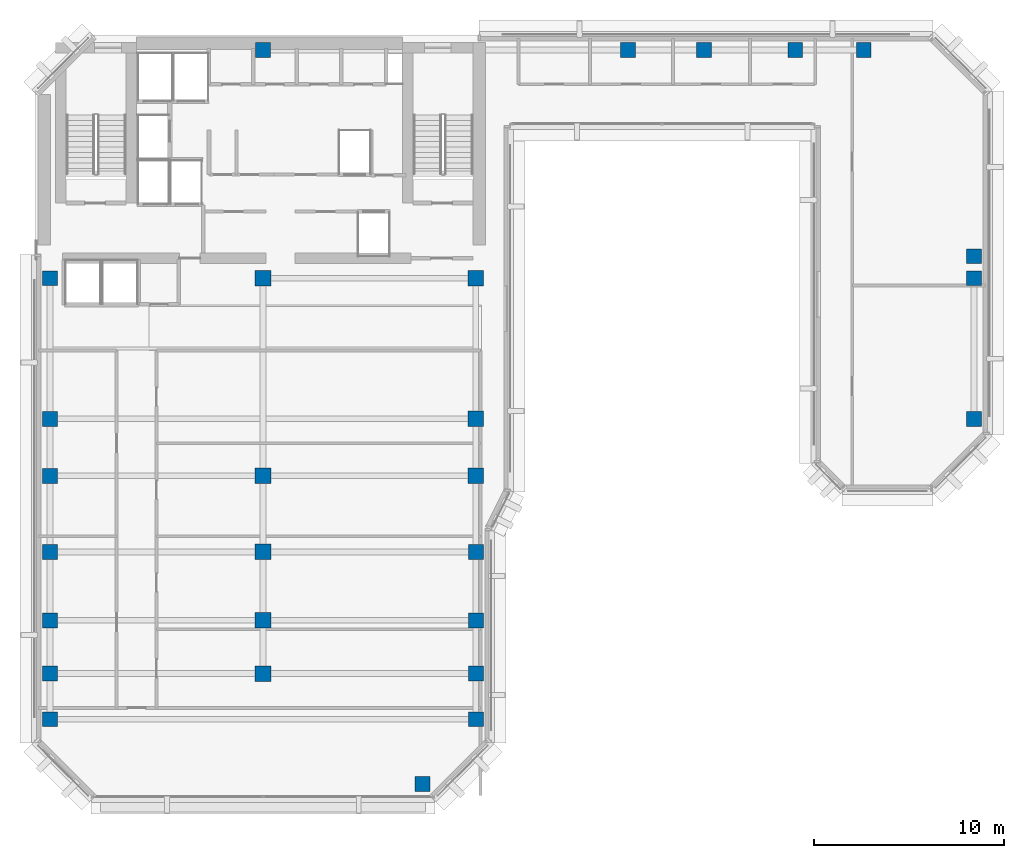
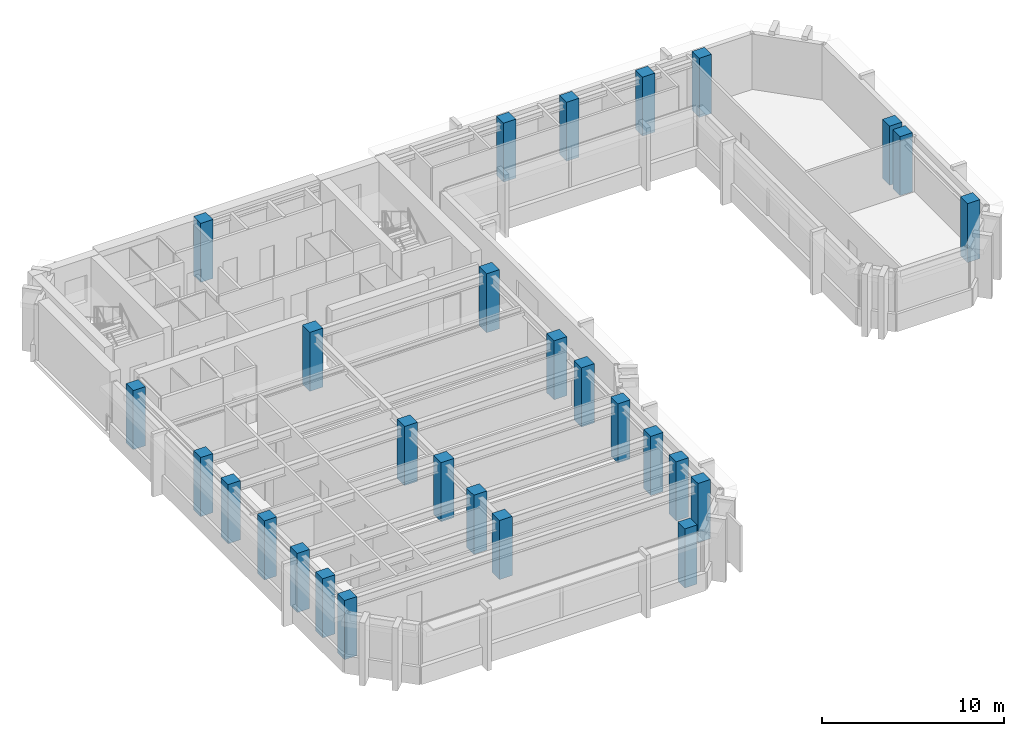
# One storey, part 1 of 12: 28 columns.
"""IFC4 building model written with IfcOpenShell, lengths in metres."""

from ifc_helpers import new_model, si_unit, direction, frame, origin, origin_2d, place, context, subcontext, project, spatial, rectangle, extrude, material, material_profile, profile_set, type_object, element, save


model = new_model("IFC4")

# Units and contexts
model_context = context("Model", 3, precision=1e-05, world=origin(), true_north=direction((0.0, 1.0)))
body_context = subcontext(model_context, "Body", "Model", "MODEL_VIEW")
ifc_project = project(units=[si_unit("LENGTHUNIT", "METRE"), si_unit("AREAUNIT", "SQUARE_METRE"), si_unit("VOLUMEUNIT", "CUBIC_METRE"), si_unit("PLANEANGLEUNIT", "RADIAN"), si_unit("MASSUNIT", "GRAM", prefix="KILO")], contexts=[model_context])

# Site, building, storey
site_placement = place(None, origin())
site = spatial("IfcSite", under=ifc_project, at=site_placement, CompositionType="ELEMENT")
building_placement = place(site_placement, origin())
building = spatial("IfcBuilding", under=site, at=building_placement, Name="Kefirva Bronze Tower", CompositionType="ELEMENT")
storey_placement = place(building_placement, frame((0.0, 0.0, 235.6201171875)))
storey = spatial("IfcBuildingStorey", under=building, at=storey_placement, Name="L57", CompositionType="ELEMENT", Elevation=235.6201171875)

# Columns
ifc_material = material(Name="Concrete C50/60", Category="concrete")
ifc_material_profile_1 = material_profile(ifc_material, rectangle(XDim=0.780029296875, YDim=0.780029296875, at=origin_2d()), Name="RC 780x780")
ifc_profile_set_1 = profile_set([ifc_material_profile_1], Name="Concrete C50/60")
column_type_1 = type_object("IfcColumnType", Name="RC Column 780x780 Ext", PredefinedType="COLUMN", material=ifc_profile_set_1)
for number, where, z_axis, x_axis, name in (
    (1, (0.800048828125, 10.0, 0.0), (0.0, 0.0, 1.0), (1.0, 0.0, 0.0), "L57 Column C008_100"),
    (2, (0.800048828125, 12.39990234375, 0.0), (0.0, 0.0, 1.0), (1.0, 0.0, 0.0), "L57 Column C008_124"),
    (3, (0.800048828125, 15.199951171875, 0.0), (0.0, 0.0, 1.0), (1.0, 0.0, 0.0), "L57 Column C008_152"),
    (4, (0.800048828125, 18.800048828125, 0.0), (0.0, 0.0, 1.0), (1.0, 0.0, 0.0), "L57 Column C008_188"),
    (5, (0.800048828125, 22.800048828125, 0.0), (0.0, 0.0, 1.0), (1.0, 0.0, 0.0), "L57 Column C008_228"),
    (6, (0.800048828125, 25.800048828125, 0.0), (0.0, 0.0, 1.0), (1.0, 0.0, 0.0), "L57 Column C008_258"),
    (7, (0.800048828125, 33.199951171875, 0.0), (0.0, 0.0, 1.0), (1.0, 0.0, 0.0), "L57 Column C008_332"),
    (8, (12.0, 45.199951171875, 0.0), (0.0, 0.0, 1.0), (1.0, 0.0, 0.0), "L57 Column C120_452"),
    (9, (20.39990234375, 6.60009765625, 0.0), (0.0, 0.0, 1.0), (1.0, 0.0, 0.0), "L57 Column C204_066"),
    (10, (23.199951171875, 10.0, 0.0), (0.0, 0.0, 1.0), (1.0, 0.0, 0.0), "L57 Column C232_100"),
    (11, (23.199951171875, 12.39990234375, 0.0), (0.0, 0.0, 1.0), (1.0, 0.0, 0.0), "L57 Column C232_124"),
    (12, (23.199951171875, 15.199951171875, 0.0), (0.0, 0.0, 1.0), (1.0, 0.0, 0.0), "L57 Column C232_152"),
    (13, (23.199951171875, 18.800048828125, 0.0), (0.0, 0.0, 1.0), (1.0, 0.0, 0.0), "L57 Column C232_188"),
    (14, (31.199951171875, 45.199951171875, 0.0), (0.0, 0.0, 1.0), (1.0, 0.0, 0.0), "L57 Column C312_452"),
    (15, (35.199951171875, 45.199951171875, 0.0), (0.0, 0.0, 1.0), (1.0, 0.0, 0.0), "L57 Column C352_452"),
    (16, (40.0, 45.199951171875, 0.0), (0.0, 0.0, 1.0), (1.0, 0.0, 0.0), "L57 Column C400_452"),
    (17, (43.60009765625, 45.199951171875, 0.0), (0.0, 0.0, 1.0), (1.0, 0.0, 0.0), "L57 Column C436_452"),
    (18, (49.39990234375, 25.800048828125, 0.0), (0.0, 0.0, 1.0), (1.0, 0.0, 0.0), "L57 Column C494_258"),
    (19, (49.39990234375, 33.199951171875, 0.0), (0.0, 0.0, 1.0), (1.0, 0.0, 0.0), "L57 Column C494_332"),
    (20, (49.39990234375, 34.35009765625, 0.0), (0.0, 0.0, 1.0), (1.0, 0.0, 0.0), "L57 Column C494_344"),
):
    element("IfcColumn", number, at=place(storey_placement, frame(where, z_axis=z_axis, x_axis=x_axis)), inside=storey, type_object=column_type_1, Name=name, PredefinedType="COLUMN", context=body_context, shape_type="SweptSolid", body=[
        extrude(rectangle(XDim=0.780029296875, YDim=0.780029296875, at=origin_2d()), origin(), (0.0, 0.0, 1.0), 3.9599609375),
    ])
ifc_material_profile_2 = material_profile(ifc_material, rectangle(XDim=0.820068359375, YDim=0.820068359375, at=origin_2d()), Name="RC 820x820")
ifc_profile_set_2 = profile_set([ifc_material_profile_2], Name="Concrete C50/60")
column_type_2 = type_object("IfcColumnType", Name="RC Column 820x820 Int", PredefinedType="COLUMN", material=ifc_profile_set_2)
for number, where, z_axis, x_axis, name in (
    (21, (12.0, 12.39990234375, 0.0), (0.0, 0.0, 1.0), (1.0, 0.0, 0.0), "L57 Column C120_124"),
    (22, (12.0, 15.199951171875, 0.0), (0.0, 0.0, 1.0), (1.0, 0.0, 0.0), "L57 Column C120_152"),
    (23, (12.0, 18.800048828125, 0.0), (0.0, 0.0, 1.0), (1.0, 0.0, 0.0), "L57 Column C120_188"),
    (24, (12.0, 22.800048828125, 0.0), (0.0, 0.0, 1.0), (1.0, 0.0, 0.0), "L57 Column C120_228"),
    (25, (12.0, 33.199951171875, 0.0), (0.0, 0.0, 1.0), (1.0, 0.0, 0.0), "L57 Column C120_332"),
    (26, (23.199951171875, 22.800048828125, 0.0), (0.0, 0.0, 1.0), (1.0, 0.0, 0.0), "L57 Column C232_228"),
    (27, (23.199951171875, 25.800048828125, 0.0), (0.0, 0.0, 1.0), (1.0, 0.0, 0.0), "L57 Column C232_258"),
    (28, (23.199951171875, 33.199951171875, 0.0), (0.0, 0.0, 1.0), (1.0, 0.0, 0.0), "L57 Column C232_332"),
):
    element("IfcColumn", number, at=place(storey_placement, frame(where, z_axis=z_axis, x_axis=x_axis)), inside=storey, type_object=column_type_2, Name=name, PredefinedType="COLUMN", context=body_context, shape_type="SweptSolid", body=[
        extrude(rectangle(XDim=0.820068359375, YDim=0.820068359375, at=origin_2d()), origin(), (0.0, 0.0, 1.0), 3.9599609375),
    ])

save(model, "model.ifc")
